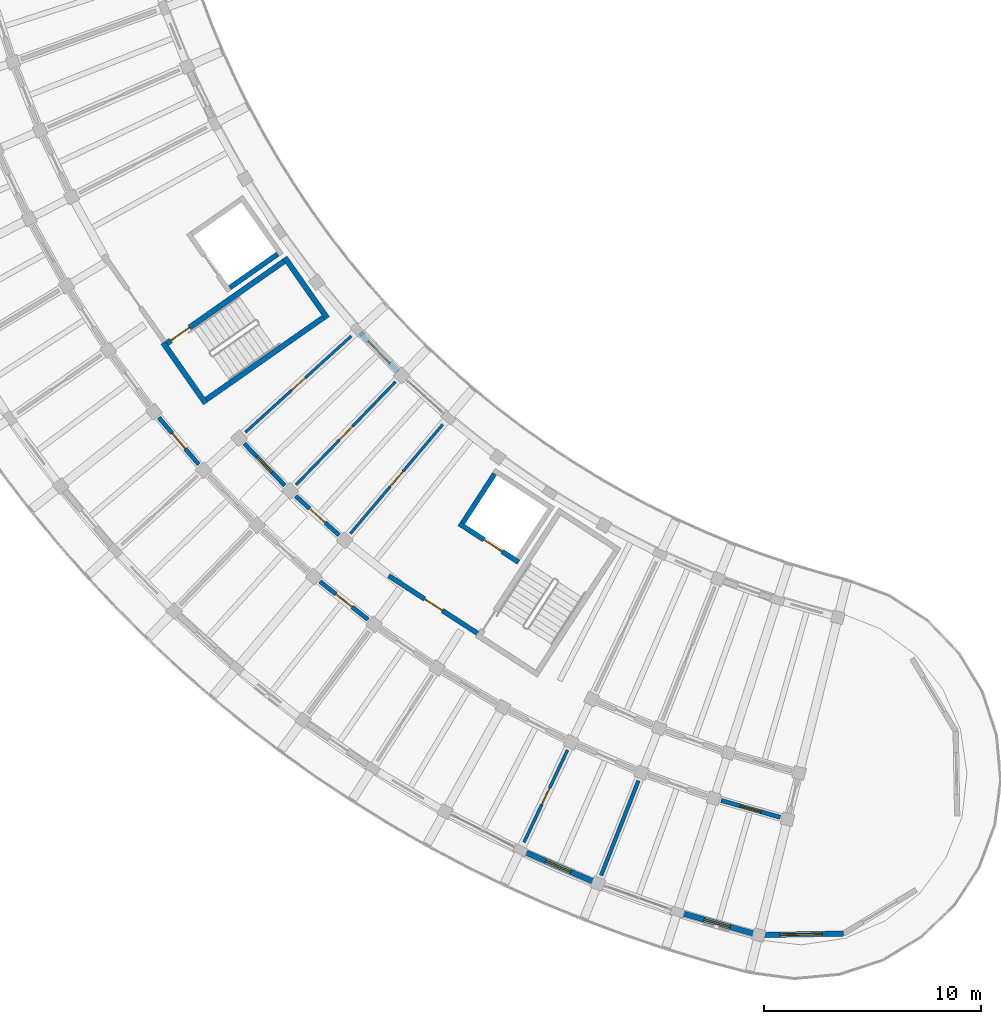
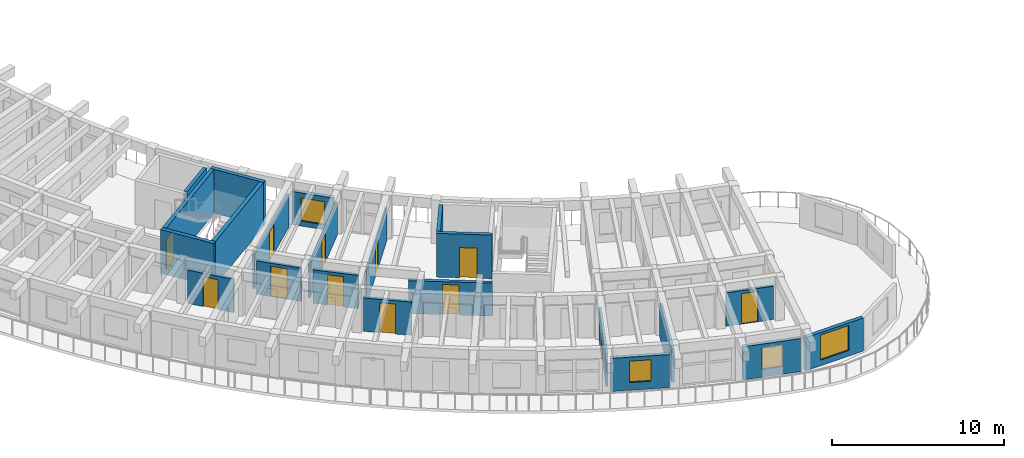
# One storey, part 55 of 96: 22 walls, 12 doors, 4 windows, 16 openings.
"""IFC4 building model written with IfcOpenShell, lengths in metres."""

from ifc_helpers import new_model, si_unit, direction, frame, frame_2d, origin, place, context, subcontext, project, spatial, rectangle, extrude, material, layer, layer_set, type_object, element, fill, save


model = new_model("IFC4")

# Units and contexts
model_context = context("Model", 3, precision=1e-05, world=origin(), true_north=direction((0.0, 1.0)))
body_context = subcontext(model_context, "Body", "Model", "MODEL_VIEW")
ifc_project = project(units=[si_unit("LENGTHUNIT", "METRE"), si_unit("AREAUNIT", "SQUARE_METRE"), si_unit("VOLUMEUNIT", "CUBIC_METRE"), si_unit("PLANEANGLEUNIT", "RADIAN"), si_unit("MASSUNIT", "GRAM", prefix="KILO")], contexts=[model_context])

# Site, building, storey
site_placement = place(None, origin())
site = spatial("IfcSite", under=ifc_project, at=site_placement, CompositionType="ELEMENT")
building_placement = place(site_placement, origin())
building = spatial("IfcBuilding", under=site, at=building_placement, Name="Tanwirah Colonnade Gardens", CompositionType="ELEMENT")
storey_placement = place(building_placement, frame((0.0, 0.0, 12.199951171875)))
storey = spatial("IfcBuildingStorey", under=building, at=storey_placement, Name="L03", CompositionType="ELEMENT", Elevation=12.199951171875)

# Wall, opening, window
ifc_material_1 = material(Name="Limestone architectural precast concrete C40/50", Category="masonry")
ifc_layer_1 = layer(ifc_material_1, 0.2451171875)
ifc_layer_set_1 = layer_set([ifc_layer_1], Name="Limestone architectural precast concrete C40/50")
wall_type_1 = type_object("IfcWallType", Name="EW-PC245", PredefinedType="SOLIDWALL", material=ifc_layer_set_1)
wall_1_placement = place(storey_placement, frame((32.208740234375, 34.49853515625, 0.0), z_axis=(0.0, 0.0, 1.0), x_axis=(0.696228228984, -0.717820488121, 0.0)))
wall_1 = element("IfcWall", 1, at=wall_1_placement, inside=storey, type_object=wall_type_1, Name="Block C L03 IN Precast Facade Wall 7", PredefinedType="SOLIDWALL", context=body_context, shape_type="SweptSolid", body=[
    extrude(rectangle(XDim=2.498779296875, YDim=0.2451171875, at=frame_2d((1.24951171875, 0.0))), origin(), (0.0, 0.0, 1.0), 2.35498046875),
])
opening_1_placement = place(wall_1_placement, frame((0.54931640625, 0.0, 0.35009765625)))
opening_1 = element("IfcOpeningElement", 2, at=opening_1_placement, cuts=wall_1, Name="Opening WIN-T06", PredefinedType="OPENING", context=body_context, shape_type="SweptSolid", body=[
    extrude(rectangle(XDim=1.39990234375, YDim=1.64990234375, at=frame_2d((0.699951171875, 0.824951171875))), frame((0.0, 0.132568359375, 0.0), z_axis=(0.0, -1.0, 0.0), x_axis=(1.0, 0.0, 0.0)), (0.0, 0.0, 1.0), 0.26513671875),
])
ifc_material_2 = material(Name="Thermally broken bronze aluminium and solar low-E double glazing", Category="aluminium")
window_type_1 = type_object("IfcWindowType", Name="WIN-T06", PartitioningType="DOUBLE_PANEL_VERTICAL", PredefinedType="WINDOW", material=ifc_material_2)
window_1_placement = place(opening_1_placement, origin())
window_1 = element("IfcWindow", 3, at=window_1_placement, inside=storey, type_object=window_type_1, Name="Facade window C-L03-IN-07", OverallHeight=1.64990234375, OverallWidth=1.39990234375, PartitioningType="SINGLE_PANEL", PredefinedType="WINDOW", context=body_context, shape_type="SweptSolid", body=[
    extrude(rectangle(XDim=1.39990234375, YDim=1.64990234375, at=frame_2d((0.699951171875, 0.824951171875))), frame((0.0, 0.030029296875, 0.0), z_axis=(0.0, -1.0, 0.0), x_axis=(1.0, 0.0, 0.0)), (0.0, 0.0, 1.0), 0.06005859375),
])
fill(opening_1, window_1)

wall_2_placement = place(storey_placement, frame((39.74462890625, 10.576171875, 0.0), z_axis=(0.0, 0.0, 1.0), x_axis=(0.917938367037, -0.396723019652, 0.0)))
wall_2 = element("IfcWall", 4, at=wall_2_placement, inside=storey, type_object=wall_type_1, Name="Block C L03 OUT Precast Facade Wall 13", PredefinedType="SOLIDWALL", context=body_context, shape_type="SweptSolid", body=[
    extrude(rectangle(XDim=3.48681640625, YDim=0.2451171875, at=frame_2d((1.743408203125, 0.0))), origin(), (0.0, 0.0, 1.0), 2.35498046875),
])
opening_2_placement = place(wall_2_placement, frame((1.103515625, 0.0, 0.550048828125)))
opening_2 = element("IfcOpeningElement", 5, at=opening_2_placement, cuts=wall_2, Name="Opening WIN-T17", PredefinedType="OPENING", context=body_context, shape_type="SweptSolid", body=[
    extrude(rectangle(XDim=1.280029296875, YDim=1.52001953125, at=frame_2d((0.64013671875, 0.760009765625))), frame((0.0, 0.132568359375, 0.0), z_axis=(0.0, -1.0, 0.0), x_axis=(1.0, 0.0, 0.0)), (0.0, 0.0, 1.0), 0.26513671875),
])
window_type_2 = type_object("IfcWindowType", Name="WIN-T17", PartitioningType="SINGLE_PANEL", PredefinedType="WINDOW", material=ifc_material_2)
window_2_placement = place(opening_2_placement, origin())
window_2 = element("IfcWindow", 6, at=window_2_placement, inside=storey, type_object=window_type_2, Name="Facade window C-L03-OUT-13", OverallHeight=1.52001953125, OverallWidth=1.280029296875, PartitioningType="SINGLE_PANEL", PredefinedType="WINDOW", context=body_context, shape_type="SweptSolid", body=[
    extrude(rectangle(XDim=1.280029296875, YDim=1.52001953125, at=frame_2d((0.64013671875, 0.760009765625))), frame((0.0, 0.030029296875, 0.0), z_axis=(0.0, -1.0, 0.0), x_axis=(1.0, 0.0, 0.0)), (0.0, 0.0, 1.0), 0.06005859375),
])
fill(opening_2, window_2)

wall_3_placement = place(storey_placement, frame((46.999267578125, 7.740966796875, 0.0), z_axis=(0.0, 0.0, 1.0), x_axis=(0.961871954212, -0.2735001713, 0.0)))
wall_3 = element("IfcWall", 7, at=wall_3_placement, inside=storey, type_object=wall_type_1, Name="Block C L03 OUT Precast Facade Wall 15", PredefinedType="SOLIDWALL", context=body_context, shape_type="SweptSolid", body=[
    extrude(rectangle(XDim=3.48681640625, YDim=0.2451171875, at=frame_2d((1.743408203125, 0.0))), origin(), (0.0, 0.0, 1.0), 2.35498046875),
])
opening_3_placement = place(wall_3_placement, frame((1.123291015625, 0.0, 0.550048828125)))
opening_3 = element("IfcOpeningElement", 8, at=opening_3_placement, cuts=wall_3, Name="Opening WIN-U03", PredefinedType="OPENING", context=body_context, shape_type="SweptSolid", body=[
    extrude(rectangle(XDim=1.239990234375, YDim=1.534912109375, at=frame_2d((0.6201171875, 0.767578125))), frame((0.0, 0.132568359375, 0.0), z_axis=(0.0, -1.0, 0.0), x_axis=(1.0, 0.0, 0.0)), (0.0, 0.0, 1.0), 0.26513671875),
])
window_type_3 = type_object("IfcWindowType", Name="WIN-U03", PartitioningType="DOUBLE_PANEL_VERTICAL", PredefinedType="WINDOW", material=ifc_material_2)
window_3_placement = place(opening_3_placement, origin())
window_3 = element("IfcWindow", 9, at=window_3_placement, inside=storey, type_object=window_type_3, Name="Facade window C-L03-OUT-15", OverallHeight=1.534912109375, OverallWidth=1.239990234375, PartitioningType="SINGLE_PANEL", PredefinedType="WINDOW", context=body_context, shape_type="SweptSolid", body=[
    extrude(rectangle(XDim=1.239990234375, YDim=1.534912109375, at=frame_2d((0.6201171875, 0.767578125))), frame((0.0, 0.030029296875, 0.0), z_axis=(0.0, -1.0, 0.0), x_axis=(1.0, 0.0, 0.0)), (0.0, 0.0, 1.0), 0.06005859375),
])
fill(opening_3, window_3)

wall_4_placement = place(storey_placement, frame((54.501220703125, 6.787109375, 0.0), z_axis=(0.0, 0.0, 1.0), x_axis=(-0.999848115368, -0.017428315893, 0.0)))
wall_4 = element("IfcWall", 10, at=wall_4_placement, inside=storey, type_object=wall_type_1, Name="Block C L03 END Rounded End Wall 5", PredefinedType="SOLIDWALL", context=body_context, shape_type="SweptSolid", body=[
    extrude(rectangle(XDim=3.908203125, YDim=0.2451171875, at=frame_2d((1.9541015625, 0.0))), origin(), (0.0, 0.0, 1.0), 2.35498046875),
])
opening_4_placement = place(wall_4_placement, frame((0.97900390625, 0.0, 0.39990234375)))
opening_4 = element("IfcOpeningElement", 11, at=opening_4_placement, cuts=wall_4, Name="Opening WIN-END2", PredefinedType="OPENING", context=body_context, shape_type="SweptSolid", body=[
    extrude(rectangle(XDim=1.949951171875, YDim=1.780029296875, at=frame_2d((0.97509765625, 0.89013671875))), frame((0.0, 0.132568359375, 0.0), z_axis=(0.0, -1.0, 0.0), x_axis=(1.0, 0.0, 0.0)), (0.0, 0.0, 1.0), 0.26513671875),
])
window_type_4 = type_object("IfcWindowType", Name="WIN-END2", PartitioningType="TRIPLE_PANEL_VERTICAL", PredefinedType="WINDOW", material=ifc_material_2)
window_4_placement = place(opening_4_placement, origin())
window_4 = element("IfcWindow", 12, at=window_4_placement, inside=storey, type_object=window_type_4, Name="Rounded corner window C-L03-END-5", OverallHeight=1.780029296875, OverallWidth=1.949951171875, PartitioningType="SINGLE_PANEL", PredefinedType="WINDOW", context=body_context, shape_type="SweptSolid", body=[
    extrude(rectangle(XDim=1.949951171875, YDim=1.780029296875, at=frame_2d((0.97509765625, 0.89013671875))), frame((0.0, 0.030029296875, 0.0), z_axis=(0.0, -1.0, 0.0), x_axis=(1.0, 0.0, 0.0)), (0.0, 0.0, 1.0), 0.06005859375),
])
fill(opening_4, window_4)

# Wall, opening, door
ifc_material_3 = material(Name="Precast concrete C40/50", Category="concrete")
ifc_layer_2 = layer(ifc_material_3, 0.195068359375)
ifc_layer_set_2 = layer_set([ifc_layer_2], Name="Precast concrete C40/50")
wall_type_2 = type_object("IfcWallType", Name="IW-CORR195", PredefinedType="PARTITIONING", material=ifc_layer_set_2)
wall_5_placement = place(storey_placement, frame((22.9267578125, 30.58642578125, 0.0), z_axis=(0.0, 0.0, 1.0), x_axis=(0.64778830669, -0.761820392032, 0.0)))
wall_5 = element("IfcWall", 13, at=wall_5_placement, inside=storey, type_object=wall_type_2, Name="Block C L03 OUT Corridor Wall 6", PredefinedType="PARTITIONING", context=body_context, shape_type="SweptSolid", body=[
    extrude(rectangle(XDim=2.8369140625, YDim=0.195068359375, at=frame_2d((1.41845703125, 0.0))), origin(), (0.0, 0.0, 1.0), 2.3701171875),
])
opening_5_placement = place(wall_5_placement, frame((0.95361328125, 0.0, 0.0)))
opening_5 = element("IfcOpeningElement", 14, at=opening_5_placement, cuts=wall_5, Name="Opening L03-AD1404", PredefinedType="OPENING", context=body_context, shape_type="SweptSolid", body=[
    extrude(rectangle(XDim=0.929931640625, YDim=2.1201171875, at=frame_2d((0.46484375, 1.06005859375))), frame((0.0, 0.107421875, 0.0), z_axis=(0.0, -1.0, 0.0), x_axis=(1.0, 0.0, 0.0)), (0.0, 0.0, 1.0), 0.215087890625),
])
ifc_material_4 = material(Name="Solid oak fire-resisting apartment entrance door")
door_type_1 = type_object("IfcDoorType", Name="ID-FLT093", OperationType="NOTDEFINED", PredefinedType="DOOR", material=ifc_material_4)
door_1_placement = place(opening_5_placement, origin())
door_1 = element("IfcDoor", 15, at=door_1_placement, inside=storey, type_object=door_type_1, Name="Apartment corridor door L03-AD1404", OperationType="SINGLE_SWING_RIGHT", OverallHeight=2.1201171875, OverallWidth=0.929931640625, PredefinedType="DOOR", context=body_context, shape_type="SweptSolid", body=[
    extrude(rectangle(XDim=0.929931640625, YDim=2.1201171875, at=frame_2d((0.46484375, 1.06005859375))), frame((0.0, 0.02490234375, 0.0), z_axis=(0.0, -1.0, 0.0), x_axis=(1.0, 0.0, 0.0)), (0.0, 0.0, 1.0), 0.050048828125),
])
fill(opening_5, door_1)

wall_6_placement = place(storey_placement, frame((26.86328125, 29.386474609375, 0.0), z_axis=(0.0, 0.0, 1.0), x_axis=(0.696236443412, -0.717812520694, 0.0)))
wall_6 = element("IfcWall", 16, at=wall_6_placement, inside=storey, type_object=wall_type_2, Name="Block C L03 IN Corridor Wall 7", PredefinedType="PARTITIONING", context=body_context, shape_type="SweptSolid", body=[
    extrude(rectangle(XDim=2.693115234375, YDim=0.195068359375, at=frame_2d((1.3466796875, 0.0))), origin(), (0.0, 0.0, 1.0), 2.3701171875),
])
opening_6_placement = place(wall_6_placement, frame((0.8515625, 0.0, 0.0)))
opening_6 = element("IfcOpeningElement", 17, at=opening_6_placement, cuts=wall_6, Name="Opening L03-AD1408", PredefinedType="OPENING", context=body_context, shape_type="SweptSolid", body=[
    extrude(rectangle(XDim=0.989990234375, YDim=2.159912109375, at=frame_2d((0.4951171875, 1.080078125))), frame((0.0, 0.107421875, 0.0), z_axis=(0.0, -1.0, 0.0), x_axis=(1.0, 0.0, 0.0)), (0.0, 0.0, 1.0), 0.215087890625),
])
door_type_2 = type_object("IfcDoorType", Name="ID-FLT099", OperationType="NOTDEFINED", PredefinedType="DOOR", material=ifc_material_4)
door_2_placement = place(opening_6_placement, origin())
door_2 = element("IfcDoor", 18, at=door_2_placement, inside=storey, type_object=door_type_2, Name="Apartment corridor door L03-AD1408", OperationType="SINGLE_SWING_RIGHT", OverallHeight=2.159912109375, OverallWidth=0.989990234375, PredefinedType="DOOR", context=body_context, shape_type="SweptSolid", body=[
    extrude(rectangle(XDim=0.989990234375, YDim=2.159912109375, at=frame_2d((0.4951171875, 1.080078125))), frame((0.0, 0.02490234375, 0.0), z_axis=(0.0, -1.0, 0.0), x_axis=(1.0, 0.0, 0.0)), (0.0, 0.0, 1.0), 0.050048828125),
])
fill(opening_6, door_2)

wall_7_placement = place(storey_placement, frame((29.241455078125, 26.967529296875, 0.0), z_axis=(0.0, 0.0, 1.0), x_axis=(0.74166462946, -0.670770882945, 0.0)))
wall_7 = element("IfcWall", 19, at=wall_7_placement, inside=storey, type_object=wall_type_2, Name="Block C L03 IN Corridor Wall 8", PredefinedType="PARTITIONING", context=body_context, shape_type="SweptSolid", body=[
    extrude(rectangle(XDim=2.693115234375, YDim=0.195068359375, at=frame_2d((1.3466796875, 0.0))), origin(), (0.0, 0.0, 1.0), 2.3701171875),
])
opening_7_placement = place(wall_7_placement, frame((0.861572265625, 0.0, 0.0)))
opening_7 = element("IfcOpeningElement", 20, at=opening_7_placement, cuts=wall_7, Name="Opening L03-AD1411", PredefinedType="OPENING", context=body_context, shape_type="SweptSolid", body=[
    extrude(rectangle(XDim=0.969970703125, YDim=2.14990234375, at=frame_2d((0.48486328125, 1.074951171875))), frame((0.0, 0.107421875, 0.0), z_axis=(0.0, -1.0, 0.0), x_axis=(1.0, 0.0, 0.0)), (0.0, 0.0, 1.0), 0.215087890625),
])
door_type_3 = type_object("IfcDoorType", Name="ID-FLT097", OperationType="NOTDEFINED", PredefinedType="DOOR", material=ifc_material_4)
door_3_placement = place(opening_7_placement, origin())
door_3 = element("IfcDoor", 21, at=door_3_placement, inside=storey, type_object=door_type_3, Name="Apartment corridor door L03-AD1411", OperationType="SINGLE_SWING_LEFT", OverallHeight=2.14990234375, OverallWidth=0.969970703125, PredefinedType="DOOR", context=body_context, shape_type="SweptSolid", body=[
    extrude(rectangle(XDim=0.969970703125, YDim=2.14990234375, at=frame_2d((0.48486328125, 1.074951171875))), frame((0.0, 0.02490234375, 0.0), z_axis=(0.0, -1.0, 0.0), x_axis=(1.0, 0.0, 0.0)), (0.0, 0.0, 1.0), 0.050048828125),
])
fill(opening_7, door_3)

wall_8_placement = place(storey_placement, frame((30.351318359375, 23.030029296875, 0.0), z_axis=(0.0, 0.0, 1.0), x_axis=(0.783965548427, -0.620804332201, 0.0)))
wall_8 = element("IfcWall", 22, at=wall_8_placement, inside=storey, type_object=wall_type_2, Name="Block C L03 OUT Corridor Wall 9", PredefinedType="PARTITIONING", context=body_context, shape_type="SweptSolid", body=[
    extrude(rectangle(XDim=2.8369140625, YDim=0.195068359375, at=frame_2d((1.41845703125, 0.0))), origin(), (0.0, 0.0, 1.0), 2.3701171875),
])
opening_8_placement = place(wall_8_placement, frame((0.943603515625, 0.0, 0.0)))
opening_8 = element("IfcOpeningElement", 23, at=opening_8_placement, cuts=wall_8, Name="Opening L03-AD1413", PredefinedType="OPENING", context=body_context, shape_type="SweptSolid", body=[
    extrude(rectangle(XDim=0.949951171875, YDim=2.1298828125, at=frame_2d((0.47509765625, 1.06494140625))), frame((0.0, 0.107421875, 0.0), z_axis=(0.0, -1.0, 0.0), x_axis=(1.0, 0.0, 0.0)), (0.0, 0.0, 1.0), 0.215087890625),
])
door_type_4 = type_object("IfcDoorType", Name="ID-FLT095", OperationType="NOTDEFINED", PredefinedType="DOOR", material=ifc_material_4)
door_4_placement = place(opening_8_placement, origin())
door_4 = element("IfcDoor", 24, at=door_4_placement, inside=storey, type_object=door_type_4, Name="Apartment corridor door L03-AD1413", OperationType="SINGLE_SWING_LEFT", OverallHeight=2.1298828125, OverallWidth=0.949951171875, PredefinedType="DOOR", context=body_context, shape_type="SweptSolid", body=[
    extrude(rectangle(XDim=0.949951171875, YDim=2.1298828125, at=frame_2d((0.47509765625, 1.06494140625))), frame((0.0, 0.02490234375, 0.0), z_axis=(0.0, -1.0, 0.0), x_axis=(1.0, 0.0, 0.0)), (0.0, 0.0, 1.0), 0.050048828125),
])
fill(opening_8, door_4)

wall_9_placement = place(storey_placement, frame((48.858642578125, 12.92724609375, 0.0), z_axis=(0.0, 0.0, 1.0), x_axis=(0.961873892319, -0.273493355085, 0.0)))
wall_9 = element("IfcWall", 25, at=wall_9_placement, inside=storey, type_object=wall_type_2, Name="Block C L03 OUT Corridor Wall 15", PredefinedType="PARTITIONING", context=body_context, shape_type="SweptSolid", body=[
    extrude(rectangle(XDim=2.8369140625, YDim=0.195068359375, at=frame_2d((1.41845703125, 0.0))), origin(), (0.0, 0.0, 1.0), 2.3701171875),
])
opening_9_placement = place(wall_9_placement, frame((0.923583984375, 0.0, 0.0)))
opening_9 = element("IfcOpeningElement", 26, at=opening_9_placement, cuts=wall_9, Name="Opening L03-AD1425", PredefinedType="OPENING", context=body_context, shape_type="SweptSolid", body=[
    extrude(rectangle(XDim=0.989990234375, YDim=2.159912109375, at=frame_2d((0.4951171875, 1.080078125))), frame((0.0, 0.107421875, 0.0), z_axis=(0.0, -1.0, 0.0), x_axis=(1.0, 0.0, 0.0)), (0.0, 0.0, 1.0), 0.215087890625),
])
door_5_placement = place(opening_9_placement, origin())
door_5 = element("IfcDoor", 27, at=door_5_placement, inside=storey, type_object=door_type_2, Name="Apartment corridor door L03-AD1425", OperationType="SINGLE_SWING_LEFT", OverallHeight=2.159912109375, OverallWidth=0.989990234375, PredefinedType="DOOR", context=body_context, shape_type="SweptSolid", body=[
    extrude(rectangle(XDim=0.989990234375, YDim=2.159912109375, at=frame_2d((0.4951171875, 1.080078125))), frame((0.0, 0.02490234375, 0.0), z_axis=(0.0, -1.0, 0.0), x_axis=(1.0, 0.0, 0.0)), (0.0, 0.0, 1.0), 0.050048828125),
])
fill(opening_9, door_5)

# Wall
ifc_layer_3 = layer(ifc_material_3, 0.175048828125)
ifc_layer_set_3 = layer_set([ifc_layer_3], Name="Precast concrete C40/50")
wall_type_3 = type_object("IfcWallType", Name="IW-DEM175", PredefinedType="PARTITIONING", material=ifc_layer_set_3)
wall_10_placement = place(storey_placement, frame((45.0439453125, 13.8388671875, 0.0), z_axis=(0.0, 0.0, 1.0), x_axis=(-0.366468650514, -0.930430399434, 0.0)))
element("IfcWall", 28, at=wall_10_placement, inside=storey, type_object=wall_type_3, Name="Block C L03 Radial Partition 13", PredefinedType="PARTITIONING", context=body_context, shape_type="SweptSolid", body=[
    extrude(rectangle(XDim=4.699951171875, YDim=0.175048828125, at=frame_2d((2.35009765625, 0.0))), origin(), (0.0, 0.0, 1.0), 2.3701171875),
])

# Wall, opening, door
ifc_material_5 = material(Name="Autoclaved aerated masonry blockwork", Category="masonry")
ifc_layer_4 = layer(ifc_material_5, 0.219970703125)
ifc_layer_set_4 = layer_set([ifc_layer_4], Name="Autoclaved aerated masonry blockwork")
wall_type_4 = type_object("IfcWallType", Name="IW-FFL220", PredefinedType="PARTITIONING", material=ifc_layer_set_4)
wall_11_placement = place(storey_placement, frame((37.638916015625, 20.623291015625, 0.0), z_axis=(0.0, 0.0, 1.0), x_axis=(-0.838681446513, 0.544622283124, 0.0)))
wall_11 = element("IfcWall", 29, at=wall_11_placement, inside=storey, type_object=wall_type_4, Name="CORE-C2 L03 Enclosed Lobby Fire Wall", PredefinedType="PARTITIONING", context=body_context, shape_type="SweptSolid", body=[
    extrude(rectangle(XDim=4.900146484375, YDim=0.219970703125, at=frame_2d((2.4501953125, 0.0))), origin(), (0.0, 0.0, 1.0), 2.340087890625),
])
opening_10_placement = place(wall_11_placement, frame((1.949951171875, 0.0, 0.0)))
opening_10 = element("IfcOpeningElement", 30, at=opening_10_placement, cuts=wall_11, Name="Opening L03-LD161", PredefinedType="OPENING", context=body_context, shape_type="SweptSolid", body=[
    extrude(rectangle(XDim=0.97998046875, YDim=2.139892578125, at=frame_2d((0.489990234375, 1.06982421875))), frame((0.0, 0.119873046875, 0.0), z_axis=(0.0, -1.0, 0.0), x_axis=(1.0, 0.0, 0.0)), (0.0, 0.0, 1.0), 0.239990234375),
])
ifc_material_6 = material(Name="Acoustic fire-resisting lobby door")
door_type_5 = type_object("IfcDoorType", Name="ID-FFL098", OperationType="NOTDEFINED", PredefinedType="DOOR", material=ifc_material_6)
door_6_placement = place(opening_10_placement, origin())
door_6 = element("IfcDoor", 31, at=door_6_placement, inside=storey, type_object=door_type_5, Name="CORE-C2 L03 Lobby Fire Door L03-LD161", OperationType="SINGLE_SWING_RIGHT", OverallHeight=2.139892578125, OverallWidth=0.97998046875, PredefinedType="DOOR", context=body_context, shape_type="SweptSolid", body=[
    extrude(rectangle(XDim=0.97998046875, YDim=2.139892578125, at=frame_2d((0.489990234375, 1.06982421875))), frame((0.0, 0.02490234375, 0.0), z_axis=(0.0, -1.0, 0.0), x_axis=(1.0, 0.0, 0.0)), (0.0, 0.0, 1.0), 0.050048828125),
])
fill(opening_10, door_6)

ifc_material_7 = material(Name="Moisture-resistant gypsum stud partition")
ifc_layer_5 = layer(ifc_material_7, 0.125)
ifc_layer_set_5 = layer_set([ifc_layer_5], Name="Moisture-resistant gypsum stud partition")
wall_type_5 = type_object("IfcWallType", Name="IW-INT125", PredefinedType="PARTITIONING", material=ifc_layer_set_5)
wall_12_placement = place(storey_placement, frame((31.80126953125, 34.34423828125, 0.0), z_axis=(0.0, 0.0, 1.0), x_axis=(-0.74023124711, -0.672352363573, 0.0)))
wall_12 = element("IfcWall", 32, at=wall_12_placement, inside=storey, type_object=wall_type_5, Name="Block C L03 Inner Radial Partition 6", PredefinedType="PARTITIONING", context=body_context, shape_type="SweptSolid", body=[
    extrude(rectangle(XDim=6.599853515625, YDim=0.125, at=frame_2d((3.2998046875, 0.0))), origin(), (0.0, 0.0, 1.0), 2.3701171875),
])
opening_11_placement = place(wall_12_placement, frame((2.85498046875, 0.0, 0.0)))
opening_11 = element("IfcOpeningElement", 33, at=opening_11_placement, cuts=wall_12, Name="Opening L03-RD1406", PredefinedType="OPENING", context=body_context, shape_type="SweptSolid", body=[
    extrude(rectangle(XDim=0.889892578125, YDim=2.10009765625, at=frame_2d((0.44482421875, 1.050048828125))), frame((0.0, 0.072509765625, 0.0), z_axis=(0.0, -1.0, 0.0), x_axis=(1.0, 0.0, 0.0)), (0.0, 0.0, 1.0), 0.14501953125),
])
ifc_material_8 = material(Name="Painted hardwood bedroom door", Category="wood")
door_type_6 = type_object("IfcDoorType", Name="ID-RM089", OperationType="NOTDEFINED", PredefinedType="DOOR", material=ifc_material_8)
door_7_placement = place(opening_11_placement, origin())
door_7 = element("IfcDoor", 34, at=door_7_placement, inside=storey, type_object=door_type_6, Name="Internal apartment door L03-RD1406", OperationType="SINGLE_SWING_LEFT", OverallHeight=2.10009765625, OverallWidth=0.889892578125, PredefinedType="DOOR", context=body_context, shape_type="SweptSolid", body=[
    extrude(rectangle(XDim=0.889892578125, YDim=2.10009765625, at=frame_2d((0.44482421875, 1.050048828125))), frame((0.0, 0.02490234375, 0.0), z_axis=(0.0, -1.0, 0.0), x_axis=(1.0, 0.0, 0.0)), (0.0, 0.0, 1.0), 0.050048828125),
])
fill(opening_11, door_7)

wall_13_placement = place(storey_placement, frame((33.844482421875, 32.237548828125, 0.0), z_axis=(0.0, 0.0, 1.0), x_axis=(-0.69466250658, -0.71933580611, 0.0)))
wall_13 = element("IfcWall", 35, at=wall_13_placement, inside=storey, type_object=wall_type_5, Name="Block C L03 Inner Radial Partition 7", PredefinedType="PARTITIONING", context=body_context, shape_type="SweptSolid", body=[
    extrude(rectangle(XDim=6.599853515625, YDim=0.125, at=frame_2d((3.2998046875, 0.0))), origin(), (0.0, 0.0, 1.0), 2.3701171875),
])
opening_12_placement = place(wall_13_placement, frame((2.864990234375, 0.0, 0.0)))
opening_12 = element("IfcOpeningElement", 36, at=opening_12_placement, cuts=wall_13, Name="Opening L03-RD1409", PredefinedType="OPENING", context=body_context, shape_type="SweptSolid", body=[
    extrude(rectangle(XDim=0.8701171875, YDim=2.080078125, at=frame_2d((0.43505859375, 1.0400390625))), frame((0.0, 0.072509765625, 0.0), z_axis=(0.0, -1.0, 0.0), x_axis=(1.0, 0.0, 0.0)), (0.0, 0.0, 1.0), 0.14501953125),
])
ifc_material_9 = material(Name="Painted hardwood study door", Category="wood")
door_type_7 = type_object("IfcDoorType", Name="ID-RM087", OperationType="NOTDEFINED", PredefinedType="DOOR", material=ifc_material_9)
door_8_placement = place(opening_12_placement, origin())
door_8 = element("IfcDoor", 37, at=door_8_placement, inside=storey, type_object=door_type_7, Name="Internal apartment door L03-RD1409", OperationType="SINGLE_SWING_RIGHT", OverallHeight=2.080078125, OverallWidth=0.8701171875, PredefinedType="DOOR", context=body_context, shape_type="SweptSolid", body=[
    extrude(rectangle(XDim=0.8701171875, YDim=2.080078125, at=frame_2d((0.43505859375, 1.0400390625))), frame((0.0, 0.02490234375, 0.0), z_axis=(0.0, -1.0, 0.0), x_axis=(1.0, 0.0, 0.0)), (0.0, 0.0, 1.0), 0.050048828125),
])
fill(opening_12, door_8)

wall_14_placement = place(storey_placement, frame((36.021240234375, 30.26904296875, 0.0), z_axis=(0.0, 0.0, 1.0), x_axis=(-0.646121311019, -0.763234728932, 0.0)))
wall_14 = element("IfcWall", 38, at=wall_14_placement, inside=storey, type_object=wall_type_5, Name="Block C L03 Inner Radial Partition 8", PredefinedType="PARTITIONING", context=body_context, shape_type="SweptSolid", body=[
    extrude(rectangle(XDim=6.60009765625, YDim=0.125, at=frame_2d((3.300048828125, 0.0))), origin(), (0.0, 0.0, 1.0), 2.3701171875),
])
opening_13_placement = place(wall_14_placement, frame((2.844970703125, 0.0, 0.0)))
opening_13 = element("IfcOpeningElement", 39, at=opening_13_placement, cuts=wall_14, Name="Opening L03-RD1412", PredefinedType="OPENING", context=body_context, shape_type="SweptSolid", body=[
    extrude(rectangle(XDim=0.909912109375, YDim=2.10009765625, at=frame_2d((0.455078125, 1.050048828125))), frame((0.0, 0.072509765625, 0.0), z_axis=(0.0, -1.0, 0.0), x_axis=(1.0, 0.0, 0.0)), (0.0, 0.0, 1.0), 0.14501953125),
])
ifc_material_10 = material(Name="Painted hardwood internal room door", Category="wood")
door_type_8 = type_object("IfcDoorType", Name="ID-RM091", OperationType="NOTDEFINED", PredefinedType="DOOR", material=ifc_material_10)
door_9_placement = place(opening_13_placement, origin())
door_9 = element("IfcDoor", 40, at=door_9_placement, inside=storey, type_object=door_type_8, Name="Internal apartment door L03-RD1412", OperationType="SINGLE_SWING_LEFT", OverallHeight=2.10009765625, OverallWidth=0.909912109375, PredefinedType="DOOR", context=body_context, shape_type="SweptSolid", body=[
    extrude(rectangle(XDim=0.909912109375, YDim=2.10009765625, at=frame_2d((0.455078125, 1.050048828125))), frame((0.0, 0.02490234375, 0.0), z_axis=(0.0, -1.0, 0.0), x_axis=(1.0, 0.0, 0.0)), (0.0, 0.0, 1.0), 0.050048828125),
])
fill(opening_13, door_9)

ifc_material_11 = material(Name="Water-resistant acoustic plumbing partition")
ifc_layer_6 = layer(ifc_material_11, 0.139892578125)
ifc_layer_set_6 = layer_set([ifc_layer_6], Name="Water-resistant acoustic plumbing partition")
wall_type_6 = type_object("IfcWallType", Name="IW-WET140", PredefinedType="PLUMBINGWALL", material=ifc_layer_set_6)
wall_15_placement = place(storey_placement, frame((41.7734375, 15.25244140625, 0.0), z_axis=(0.0, 0.0, 1.0), x_axis=(-0.426567365945, -0.904455793453, 0.0)))
wall_15 = element("IfcWall", 41, at=wall_15_placement, inside=storey, type_object=wall_type_6, Name="Block C L03 Radial Partition 12", PredefinedType="PLUMBINGWALL", context=body_context, shape_type="SweptSolid", body=[
    extrude(rectangle(XDim=4.699951171875, YDim=0.139892578125, at=frame_2d((2.35009765625, 0.0))), origin(), (0.0, 0.0, 1.0), 2.3701171875),
])
opening_14_placement = place(wall_15_placement, frame((1.925048828125, 0.0, 0.0)))
opening_14 = element("IfcOpeningElement", 42, at=opening_14_placement, cuts=wall_15, Name="Opening L03-RD1418", PredefinedType="OPENING", context=body_context, shape_type="SweptSolid", body=[
    extrude(rectangle(XDim=0.85009765625, YDim=2.050048828125, at=frame_2d((0.425048828125, 1.02490234375))), frame((0.0, 0.079833984375, 0.0), z_axis=(0.0, -1.0, 0.0), x_axis=(1.0, 0.0, 0.0)), (0.0, 0.0, 1.0), 0.159912109375),
])
ifc_material_12 = material(Name="Moisture-resistant en-suite door")
door_type_9 = type_object("IfcDoorType", Name="ID-WET085", OperationType="NOTDEFINED", PredefinedType="DOOR", material=ifc_material_12)
door_10_placement = place(opening_14_placement, origin())
door_10 = element("IfcDoor", 43, at=door_10_placement, inside=storey, type_object=door_type_9, Name="Internal apartment door L03-RD1418", OperationType="SINGLE_SWING_RIGHT", OverallHeight=2.050048828125, OverallWidth=0.85009765625, PredefinedType="DOOR", context=body_context, shape_type="SweptSolid", body=[
    extrude(rectangle(XDim=0.85009765625, YDim=2.050048828125, at=frame_2d((0.425048828125, 1.02490234375))), frame((0.0, 0.02490234375, 0.0), z_axis=(0.0, -1.0, 0.0), x_axis=(1.0, 0.0, 0.0)), (0.0, 0.0, 1.0), 0.050048828125),
])
fill(opening_14, door_10)

# Walls
ifc_material_13 = material(Name="Concrete C45/55", Category="concrete")
ifc_layer_7 = layer(ifc_material_13, 0.25)
ifc_layer_set_7 = layer_set([ifc_layer_7], Name="Concrete C45/55")
wall_type_7 = type_object("IfcWallType", Name="SW-CORE250", PredefinedType="SHEAR", material=ifc_layer_set_7)
wall_16_placement = place(storey_placement, frame((25.1142578125, 31.413818359375, 0.0), z_axis=(0.0, 0.0, 1.0), x_axis=(0.819141541656, 0.573591435374, 0.0)))
element("IfcWall", 44, at=wall_16_placement, inside=storey, type_object=wall_type_7, Name="CORE-C1 L03 Stair Shaft Shear Wall LEFT", PredefinedType="SHEAR", context=body_context, shape_type="SweptSolid", body=[
    extrude(rectangle(XDim=6.599853515625, YDim=0.25, at=frame_2d((3.2998046875, 0.0))), origin(), (0.0, 0.0, 1.0), 3.110107421875),
])
for number, where, z_axis, x_axis, name in (
    (45, (30.694580078125, 35.168701171875, 0.0), (0.0, 0.0, 1.0), (-0.573582112484, 0.819148069789, 0.0), "CORE-C1 L03 Stair Shaft Shear Wall FAR"),
    (46, (25.08349609375, 31.23974609375, 0.0), (0.0, 0.0, 1.0), (-0.573582112484, 0.819148069789, 0.0), "CORE-C1 L03 Stair Shaft Shear Wall NEAR"),
):
    element("IfcWall", number, at=place(storey_placement, frame(where, z_axis=z_axis, x_axis=x_axis)), inside=storey, type_object=wall_type_7, Name=name, PredefinedType="SHEAR", context=body_context, shape_type="SweptSolid", body=[
        extrude(rectangle(XDim=3.419921875, YDim=0.25, at=frame_2d((1.7099609375, 0.0))), origin(), (0.0, 0.0, 1.0), 3.110107421875),
    ])

# Wall, opening, door
wall_17_placement = place(storey_placement, frame((23.2958984375, 34.010498046875, 0.0), z_axis=(0.0, 0.0, 1.0), x_axis=(0.819153711596, 0.573574055182, 0.0)))
wall_17 = element("IfcWall", 47, at=wall_17_placement, inside=storey, type_object=wall_type_7, Name="CORE-C1 L03 Stair Shaft Shear Wall RIGHT", PredefinedType="SHEAR", context=body_context, shape_type="SweptSolid", body=[
    extrude(rectangle(XDim=6.60009765625, YDim=0.25, at=frame_2d((3.300048828125, 0.0))), origin(), (0.0, 0.0, 1.0), 3.110107421875),
])
opening_15_placement = place(wall_17_placement, frame((0.219970703125, 0.0, 0.0)))
opening_15 = element("IfcOpeningElement", 48, at=opening_15_placement, cuts=wall_17, Name="Opening L03-SD125", PredefinedType="OPENING", context=body_context, shape_type="SweptSolid", body=[
    extrude(rectangle(XDim=1.050048828125, YDim=2.14990234375, at=frame_2d((0.52490234375, 1.074951171875))), frame((0.0, 0.135009765625, 0.0), z_axis=(0.0, -1.0, 0.0), x_axis=(1.0, 0.0, 0.0)), (0.0, 0.0, 1.0), 0.27001953125),
])
ifc_material_14 = material(Name="Steel fire-resisting stair enclosure door", Category="steel")
door_type_10 = type_object("IfcDoorType", Name="ID-ST105", OperationType="NOTDEFINED", PredefinedType="DOOR", material=ifc_material_14)
door_11_placement = place(opening_15_placement, origin())
door_11 = element("IfcDoor", 49, at=door_11_placement, inside=storey, type_object=door_type_10, Name="CORE-C1 L03 Stair Fire Door L03-SD125", OperationType="SINGLE_SWING_RIGHT", OverallHeight=2.14990234375, OverallWidth=1.050048828125, PredefinedType="DOOR", context=body_context, shape_type="SweptSolid", body=[
    extrude(rectangle(XDim=1.050048828125, YDim=2.14990234375, at=frame_2d((0.52490234375, 1.074951171875))), frame((0.0, 0.02490234375, 0.0), z_axis=(0.0, -1.0, 0.0), x_axis=(1.0, 0.0, 0.0)), (0.0, 0.0, 1.0), 0.050048828125),
])
fill(opening_15, door_11)

# Wall
ifc_layer_8 = layer(ifc_material_13, 0.22998046875)
ifc_layer_set_8 = layer_set([ifc_layer_8], Name="Concrete C45/55")
wall_type_8 = type_object("IfcWallType", Name="SW-LIFT230", PredefinedType="SHEAR", material=ifc_layer_set_8)
wall_18_placement = place(storey_placement, frame((26.197265625, 36.579345703125, 0.0), z_axis=(0.0, 0.0, 1.0), x_axis=(0.819159695432, 0.573565509231, 0.0)))
element("IfcWall", 50, at=wall_18_placement, inside=storey, type_object=wall_type_8, Name="CORE-C1 L03 Lift Shaft Wall SIDEA", PredefinedType="SHEAR", context=body_context, shape_type="SweptSolid", body=[
    extrude(rectangle(XDim=2.699951171875, YDim=0.22998046875, at=frame_2d((1.35009765625, 0.0))), origin(), (0.0, 0.0, 1.0), 3.110107421875),
])

# Wall, opening, door
wall_19_placement = place(storey_placement, frame((39.515869140625, 23.91748046875, 0.0), z_axis=(0.0, 0.0, 1.0), x_axis=(-0.838660840752, 0.544654013286, 0.0)))
wall_19 = element("IfcWall", 51, at=wall_19_placement, inside=storey, type_object=wall_type_8, Name="CORE-C2 L03 Lift Shaft Wall FRONT", PredefinedType="SHEAR", context=body_context, shape_type="SweptSolid", body=[
    extrude(rectangle(XDim=3.260009765625, YDim=0.22998046875, at=frame_2d((1.6298828125, 0.0))), origin(), (0.0, 0.0, 1.0), 3.110107421875),
])
opening_16_placement = place(wall_19_placement, frame((0.89990234375, 0.0, 0.0)))
opening_16 = element("IfcOpeningElement", 52, at=opening_16_placement, cuts=wall_19, Name="Opening L03-LD-PL-C2", PredefinedType="OPENING", context=body_context, shape_type="SweptSolid", body=[
    extrude(rectangle(XDim=1.0, YDim=2.14990234375, at=frame_2d((0.5, 1.074951171875))), frame((0.0, 0.125, 0.0), z_axis=(0.0, -1.0, 0.0), x_axis=(1.0, 0.0, 0.0)), (0.0, 0.0, 1.0), 0.25),
])
ifc_material_15 = material(Name="Bronze stainless steel sliding lift landing door", Category="steel")
door_type_11 = type_object("IfcDoorType", Name="LD-PS10", OperationType="DOUBLE_DOOR_SLIDING", PredefinedType="DOOR", material=ifc_material_15)
door_12_placement = place(opening_16_placement, origin())
door_12 = element("IfcDoor", 53, at=door_12_placement, inside=storey, type_object=door_type_11, Name="Lift PL-C2 L03 Sliding Landing Door", OperationType="DOUBLE_DOOR_SLIDING", OverallHeight=2.14990234375, OverallWidth=1.0, PredefinedType="DOOR", context=body_context, shape_type="SweptSolid", body=[
    extrude(rectangle(XDim=1.0, YDim=2.14990234375, at=frame_2d((0.5, 1.074951171875))), frame((0.0, 0.02490234375, 0.0), z_axis=(0.0, -1.0, 0.0), x_axis=(1.0, 0.0, 0.0)), (0.0, 0.0, 1.0), 0.050048828125),
])
fill(opening_16, door_12)

# Wall
wall_20_placement = place(storey_placement, frame((36.94091796875, 25.726806640625, 0.0), z_axis=(0.0, 0.0, 1.0), x_axis=(0.544622789439, 0.838681117722, 0.0)))
element("IfcWall", 54, at=wall_20_placement, inside=storey, type_object=wall_type_8, Name="CORE-C2 L03 Lift Shaft Wall SIDEB", PredefinedType="SHEAR", context=body_context, shape_type="SweptSolid", body=[
    extrude(rectangle(XDim=2.699951171875, YDim=0.22998046875, at=frame_2d((1.35009765625, 0.0))), origin(), (0.0, 0.0, 1.0), 3.110107421875),
])

save(model, "model.ifc")
